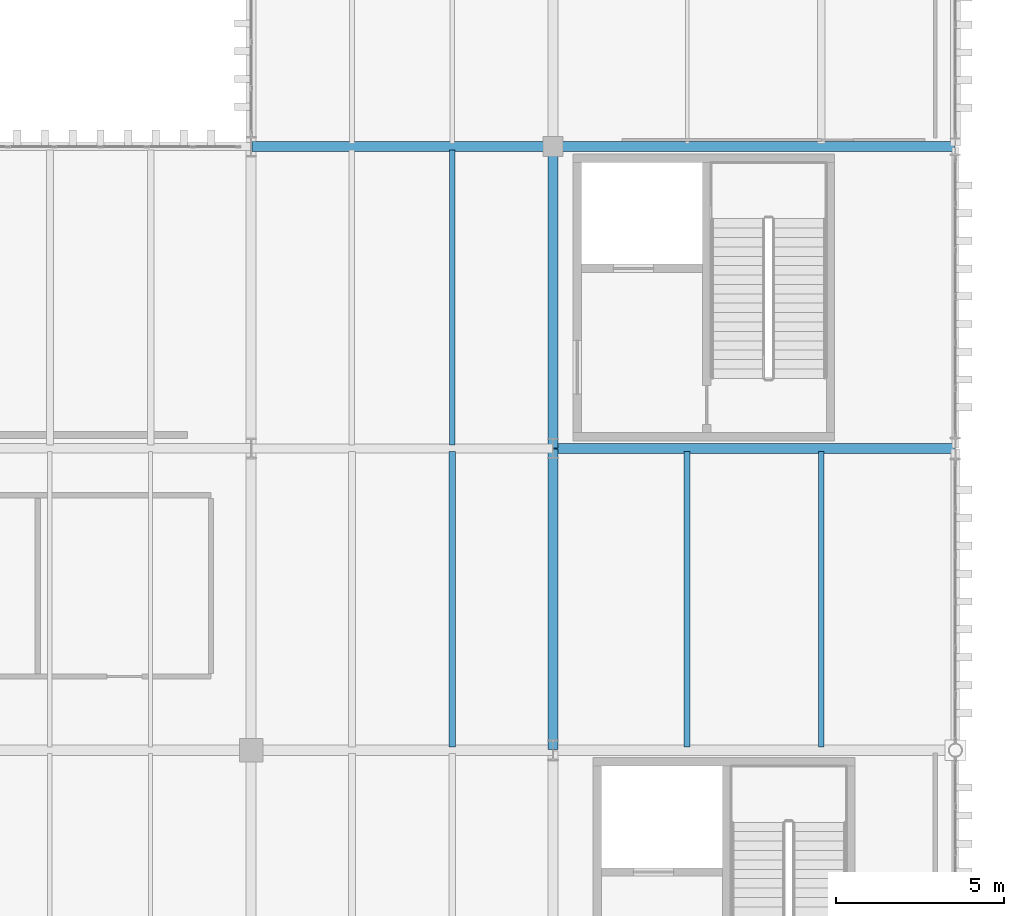
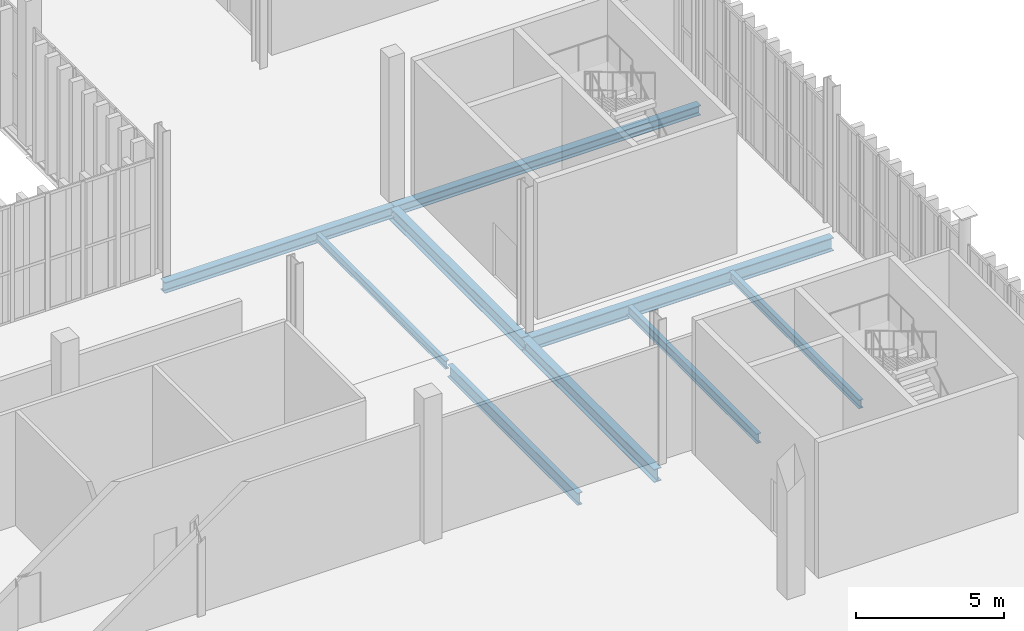
# One storey, part 128 of 237: 9 beams.
"""IFC4 building model written with IfcOpenShell, lengths in metres."""

from ifc_helpers import new_model, si_unit, direction, frame, origin, origin_2d, place, context, subcontext, project, spatial, i_section, extrude, material, material_profile, profile_set, type_object, element, save


model = new_model("IFC4")

# Units and contexts
model_context = context("Model", 3, precision=1e-05, world=origin(), true_north=direction((0.0, 1.0)))
body_context = subcontext(model_context, "Body", "Model", "MODEL_VIEW")
ifc_project = project(units=[si_unit("LENGTHUNIT", "METRE"), si_unit("AREAUNIT", "SQUARE_METRE"), si_unit("VOLUMEUNIT", "CUBIC_METRE"), si_unit("PLANEANGLEUNIT", "RADIAN"), si_unit("MASSUNIT", "GRAM", prefix="KILO")], contexts=[model_context])

# Site, building, storey
site_placement = place(None, origin())
site = spatial("IfcSite", under=ifc_project, at=site_placement, CompositionType="ELEMENT")
building_placement = place(site_placement, origin())
building = spatial("IfcBuilding", under=site, at=building_placement, Name="Barlavento Convention Centre", CompositionType="ELEMENT")
storey_placement = place(building_placement, frame((0.0, 0.0, 12.0)))
storey = spatial("IfcBuildingStorey", under=building, at=storey_placement, Name="L02", CompositionType="ELEMENT", Elevation=12.0)

# Beams
ifc_material = material(Name="Steel S355", Category="steel")
ifc_material_profile_1 = material_profile(ifc_material, i_section(OverallWidth=0.159912109375, OverallDepth=0.330078125, WebThickness=0.007568359375, FlangeThickness=0.011474609375, FilletRadius=0.01806640625, at=origin_2d()), Name="IPE 330")
ifc_profile_set_1 = profile_set([ifc_material_profile_1], Name="Steel S355")
beam_type_1 = type_object("IfcBeamType", Name="STR-BM-JST-IPE330", PredefinedType="JOIST", material=ifc_profile_set_1)
beam_1_placement = place(storey_placement, frame((177.0, 54.094970703125, -0.534912109375), z_axis=(0.0, 1.0, 0.0), x_axis=(-1.0, 0.0, 0.0)))
element("IfcBeam", 1, at=beam_1_placement, inside=storey, type_object=beam_type_1, Name="L02 composite floor joist SJ06", PredefinedType="JOIST", context=body_context, shape_type="SweptSolid", body=[
    extrude(i_section(OverallWidth=0.159912109375, OverallDepth=0.330078125, WebThickness=0.007568359375, FlangeThickness=0.011474609375, FilletRadius=0.01806640625, at=origin_2d()), origin(), (0.0, 0.0, 1.0), 8.81005859375),
])
ifc_material_profile_2 = material_profile(ifc_material, i_section(OverallWidth=0.169921875, OverallDepth=0.360107421875, WebThickness=0.008056640625, FlangeThickness=0.0126953125, FilletRadius=0.01806640625, at=origin_2d()), Name="IPE 360")
ifc_profile_set_2 = profile_set([ifc_material_profile_2], Name="Steel S355")
beam_type_2 = type_object("IfcBeamType", Name="STR-BM-JST-IPE360", PredefinedType="JOIST", material=ifc_profile_set_2)
beam_2_placement = place(storey_placement, frame((188.0, 45.094970703125, -0.550048828125), z_axis=(0.0, 1.0, 0.0), x_axis=(-1.0, 0.0, 0.0)))
element("IfcBeam", 2, at=beam_2_placement, inside=storey, type_object=beam_type_2, Name="L02 composite floor joist SJ05", PredefinedType="JOIST", context=body_context, shape_type="SweptSolid", body=[
    extrude(i_section(OverallWidth=0.169921875, OverallDepth=0.360107421875, WebThickness=0.008056640625, FlangeThickness=0.0126953125, FilletRadius=0.01806640625, at=origin_2d()), origin(), (0.0, 0.0, 1.0), 8.81005859375),
])
ifc_material_profile_3 = material_profile(ifc_material, i_section(OverallWidth=0.179931640625, OverallDepth=0.39990234375, WebThickness=0.008544921875, FlangeThickness=0.013427734375, FilletRadius=0.02099609375, at=origin_2d()), Name="IPE 400")
ifc_profile_set_3 = profile_set([ifc_material_profile_3], Name="Steel S355")
beam_type_3 = type_object("IfcBeamType", Name="STR-BM-JST-IPE400", PredefinedType="JOIST", material=ifc_profile_set_3)
beam_3_placement = place(storey_placement, frame((184.0, 45.094970703125, -0.570068359375), z_axis=(0.0, 1.0, 0.0), x_axis=(-1.0, 0.0, 0.0)))
element("IfcBeam", 3, at=beam_3_placement, inside=storey, type_object=beam_type_3, Name="L02 composite floor joist SJ04", PredefinedType="JOIST", context=body_context, shape_type="SweptSolid", body=[
    extrude(i_section(OverallWidth=0.179931640625, OverallDepth=0.39990234375, WebThickness=0.008544921875, FlangeThickness=0.013427734375, FilletRadius=0.02099609375, at=origin_2d()), origin(), (0.0, 0.0, 1.0), 8.81005859375),
])
ifc_material_profile_4 = material_profile(ifc_material, i_section(OverallWidth=0.199951171875, OverallDepth=0.5, WebThickness=0.01025390625, FlangeThickness=0.01611328125, FilletRadius=0.02099609375, at=origin_2d()), Name="IPE 500")
ifc_profile_set_4 = profile_set([ifc_material_profile_4], Name="Steel S355")
beam_type_4 = type_object("IfcBeamType", Name="STR-BM-JST-IPE500", PredefinedType="JOIST", material=ifc_profile_set_4)
beam_4_placement = place(storey_placement, frame((177.0, 45.094970703125, -0.6201171875), z_axis=(0.0, 1.0, 0.0), x_axis=(-1.0, 0.0, 0.0)))
element("IfcBeam", 4, at=beam_4_placement, inside=storey, type_object=beam_type_4, Name="L02 composite floor joist SJ02", PredefinedType="JOIST", context=body_context, shape_type="SweptSolid", body=[
    extrude(i_section(OverallWidth=0.199951171875, OverallDepth=0.5, WebThickness=0.01025390625, FlangeThickness=0.01611328125, FilletRadius=0.02099609375, at=origin_2d()), origin(), (0.0, 0.0, 1.0), 8.81005859375),
])
ifc_material_profile_5 = material_profile(ifc_material, i_section(OverallWidth=0.300048828125, OverallDepth=0.5400390625, WebThickness=0.012451171875, FlangeThickness=0.02392578125, FilletRadius=0.027099609375, at=origin_2d()), Name="HEA 550")
ifc_profile_set_5 = profile_set([ifc_material_profile_5], Name="Steel S355")
beam_type_5 = type_object("IfcBeamType", Name="STR-BM-PRI-HEA550", PredefinedType="BEAM", material=ifc_profile_set_5)
for number, where, z_axis, x_axis, name in (
    (5, (180.0, 45.02001953125, -0.639892578125), (0.0, 1.0, 0.0), (-1.0, 0.0, 0.0), "L02 grid girder BG19"),
    (6, (180.0, 54.02001953125, -0.639892578125), (0.0, 1.0, 0.0), (-1.0, 0.0, 0.0), "L02 grid girder BG19"),
):
    element("IfcBeam", number, at=place(storey_placement, frame(where, z_axis=z_axis, x_axis=x_axis)), inside=storey, type_object=beam_type_5, Name=name, PredefinedType="BEAM", context=body_context, shape_type="SweptSolid", body=[
        extrude(i_section(OverallWidth=0.300048828125, OverallDepth=0.5400390625, WebThickness=0.012451171875, FlangeThickness=0.02392578125, FilletRadius=0.027099609375, at=origin_2d()), origin(), (0.0, 0.0, 1.0), 8.9599609375),
    ])
ifc_material_profile_6 = material_profile(ifc_material, i_section(OverallWidth=0.300048828125, OverallDepth=0.39990234375, WebThickness=0.013427734375, FlangeThickness=0.02392578125, FilletRadius=0.027099609375, at=origin_2d()), Name="HEB 400")
ifc_profile_set_6 = profile_set([ifc_material_profile_6], Name="Steel S355")
beam_type_6 = type_object("IfcBeamType", Name="STR-BM-PRI-HEB400", PredefinedType="BEAM", material=ifc_profile_set_6)
beam_5_placement = place(storey_placement, frame((180.02001953125, 63.0, -0.56005859375), z_axis=(1.0, 0.0, 0.0), x_axis=(0.0, 1.0, 0.0)))
element("IfcBeam", 7, at=beam_5_placement, inside=storey, type_object=beam_type_6, Name="L02 primary girder BG11", PredefinedType="BEAM", context=body_context, shape_type="SweptSolid", body=[
    extrude(i_section(OverallWidth=0.300048828125, OverallDepth=0.39990234375, WebThickness=0.013427734375, FlangeThickness=0.02392578125, FilletRadius=0.027099609375, at=origin_2d()), origin(), (0.0, 0.0, 1.0), 11.9599609375),
])
ifc_material_profile_7 = material_profile(ifc_material, i_section(OverallWidth=0.300048828125, OverallDepth=0.449951171875, WebThickness=0.013916015625, FlangeThickness=0.02587890625, FilletRadius=0.027099609375, at=origin_2d()), Name="HEB 450")
ifc_profile_set_7 = profile_set([ifc_material_profile_7], Name="Steel S355")
beam_type_7 = type_object("IfcBeamType", Name="STR-BM-PRI-HEB450", PredefinedType="BEAM", material=ifc_profile_set_7)
beam_6_placement = place(storey_placement, frame((171.02001953125, 63.0, -0.5849609375), z_axis=(1.0, 0.0, 0.0), x_axis=(0.0, 1.0, 0.0)))
element("IfcBeam", 8, at=beam_6_placement, inside=storey, type_object=beam_type_7, Name="L02 primary girder BG10", PredefinedType="BEAM", context=body_context, shape_type="SweptSolid", body=[
    extrude(i_section(OverallWidth=0.300048828125, OverallDepth=0.449951171875, WebThickness=0.013916015625, FlangeThickness=0.02587890625, FilletRadius=0.027099609375, at=origin_2d()), origin(), (0.0, 0.0, 1.0), 8.9599609375),
])
ifc_material_profile_8 = material_profile(ifc_material, i_section(OverallWidth=0.300048828125, OverallDepth=0.550048828125, WebThickness=0.014892578125, FlangeThickness=0.029052734375, FilletRadius=0.027099609375, at=origin_2d()), Name="HEB 550")
ifc_profile_set_8 = profile_set([ifc_material_profile_8], Name="Steel S355")
beam_type_8 = type_object("IfcBeamType", Name="STR-BM-PRI-HEB550", PredefinedType="BEAM", material=ifc_profile_set_8)
beam_7_placement = place(storey_placement, frame((180.02001953125, 54.0, -0.64501953125), z_axis=(1.0, 0.0, 0.0), x_axis=(0.0, 1.0, 0.0)))
element("IfcBeam", 9, at=beam_7_placement, inside=storey, type_object=beam_type_8, Name="L02 primary girder BG08", PredefinedType="BEAM", context=body_context, shape_type="SweptSolid", body=[
    extrude(i_section(OverallWidth=0.300048828125, OverallDepth=0.550048828125, WebThickness=0.014892578125, FlangeThickness=0.029052734375, FilletRadius=0.027099609375, at=origin_2d()), origin(), (0.0, 0.0, 1.0), 11.9599609375),
])

save(model, "model.ifc")
